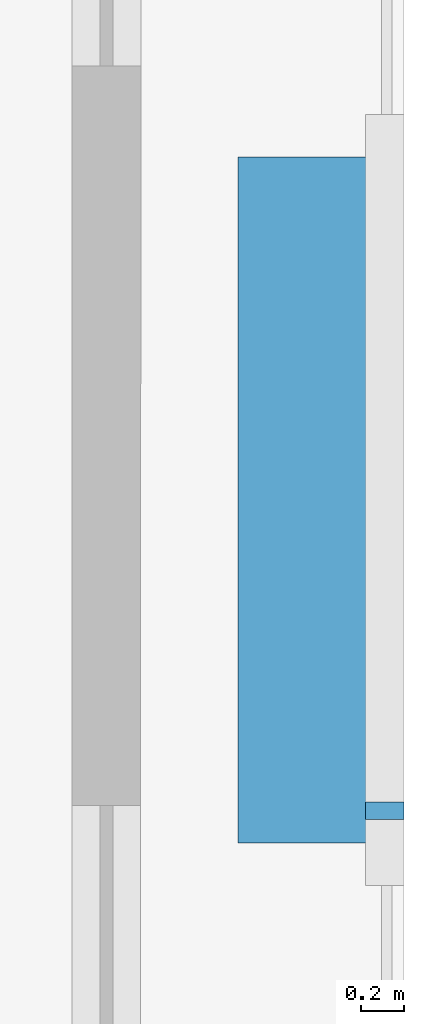
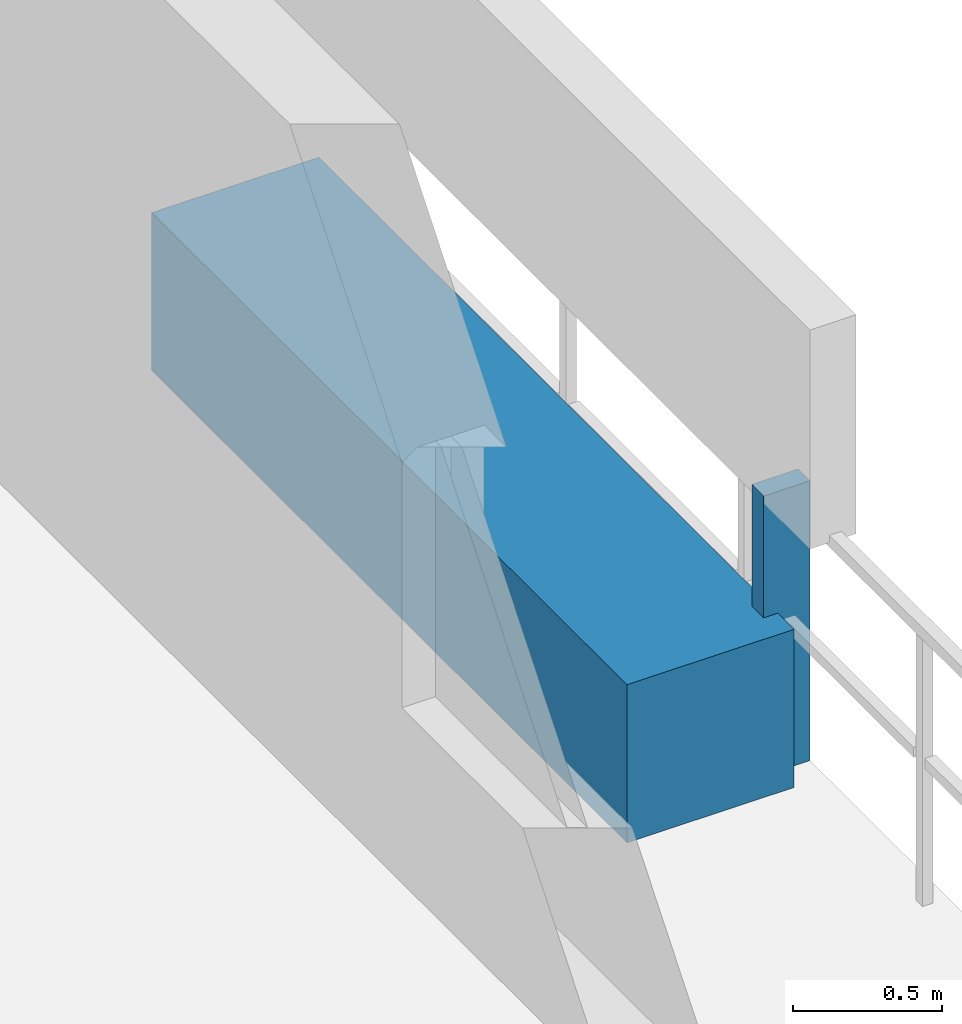
# One storey, part 29 of 34: 2 discrete accessories.
"""IFC4 building model written with IfcOpenShell, lengths in metres."""

from ifc_helpers import new_model, si_unit, direction, frame, origin, origin_2d, place, context, subcontext, project, spatial, rectangle, extrude, material, type_object, element, save


model = new_model("IFC4")

# Units and contexts
model_context = context("Model", 3, precision=1e-05, world=origin(), true_north=direction((0.0, 1.0)))
body_context = subcontext(model_context, "Body", "Model", "MODEL_VIEW")
ifc_project = project(units=[si_unit("LENGTHUNIT", "METRE"), si_unit("AREAUNIT", "SQUARE_METRE"), si_unit("VOLUMEUNIT", "CUBIC_METRE"), si_unit("PLANEANGLEUNIT", "RADIAN"), si_unit("MASSUNIT", "GRAM", prefix="KILO")], contexts=[model_context])

# Site, building, storey
site_placement = place(None, origin())
site = spatial("IfcSite", under=ifc_project, at=site_placement, CompositionType="ELEMENT")
building_placement = place(site_placement, origin())
building = spatial("IfcBuilding", under=site, at=building_placement, Name="Thornwick Lancets Civic Towers", CompositionType="ELEMENT")
storey_placement = place(building_placement, frame((0.0, 0.0, 137.699951171875)))
storey = spatial("IfcBuildingStorey", under=building, at=storey_placement, Name="L36", CompositionType="ELEMENT", Elevation=137.699951171875)

# Discrete accessories
ifc_material_1 = material(Name="Planted terracotta greenery planter", Category="masonry")
discrete_accessory_type_1 = type_object("IfcDiscreteAccessoryType", Name="ACC_PLANTER_BOX", PredefinedType="USERDEFINED", material=ifc_material_1)
discrete_accessory_1_placement = place(storey_placement, frame((113.199951171875, 27.0, 0.0), z_axis=(0.0, 0.0, 1.0), x_axis=(1.0, 0.0, 0.0)))
element("IfcDiscreteAccessory", 1, at=discrete_accessory_1_placement, inside=storey, type_object=discrete_accessory_type_1, Name="L36 Tower B Balcony Greenery Planter E", ObjectType="PLANTER", PredefinedType="USERDEFINED", context=body_context, shape_type="SweptSolid", body=[
    extrude(rectangle(XDim=0.64990234375, YDim=3.199951171875, at=origin_2d()), origin(), (0.0, 0.0, 1.0), 0.64990234375),
])
ifc_material_2 = material(Name="Stainless steel S355", Category="steel")
discrete_accessory_type_2 = type_object("IfcDiscreteAccessoryType", Name="ACC_SCREEN_BRACKET", PredefinedType="BRACKET", material=ifc_material_2)
discrete_accessory_2_placement = place(storey_placement, frame((113.56005859375, 25.550048828125, 0.0), z_axis=(0.0, 0.0, 1.0), x_axis=(0.0, 1.0, 0.0)))
element("IfcDiscreteAccessory", 2, at=discrete_accessory_2_placement, inside=storey, type_object=discrete_accessory_type_2, Name="L36 Tower B Balcony Screen Stanchion Bracket E-1", PredefinedType="BRACKET", context=body_context, shape_type="SweptSolid", body=[
    extrude(rectangle(XDim=0.080078125, YDim=0.179931640625, at=origin_2d()), origin(), (0.0, 0.0, 1.0), 1.14990234375),
])

save(model, "model.ifc")
